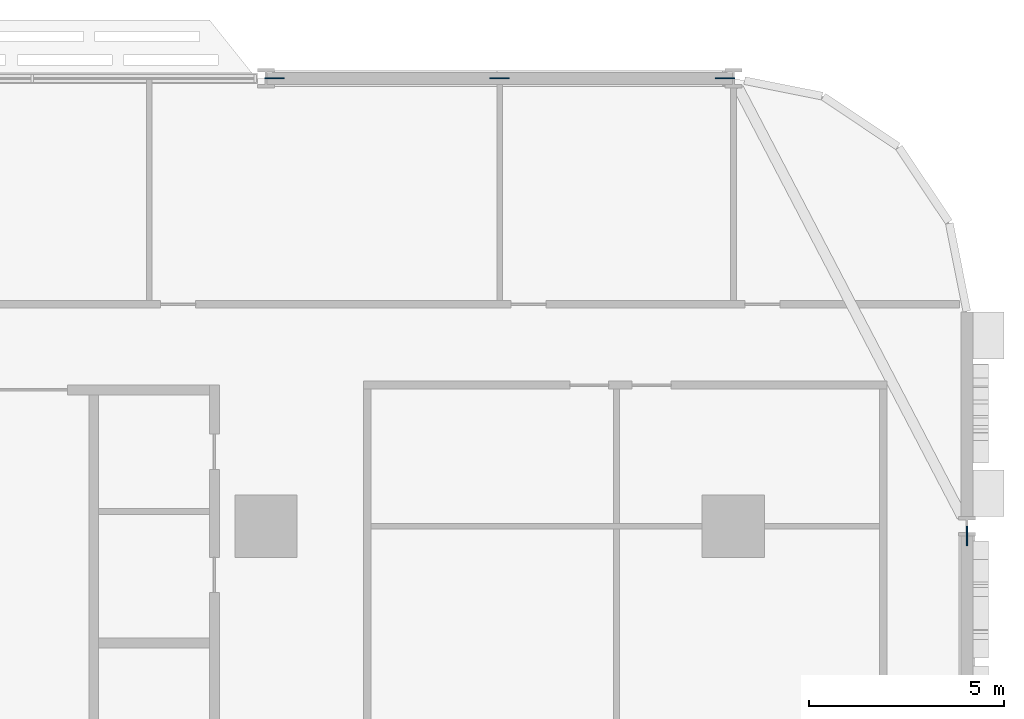
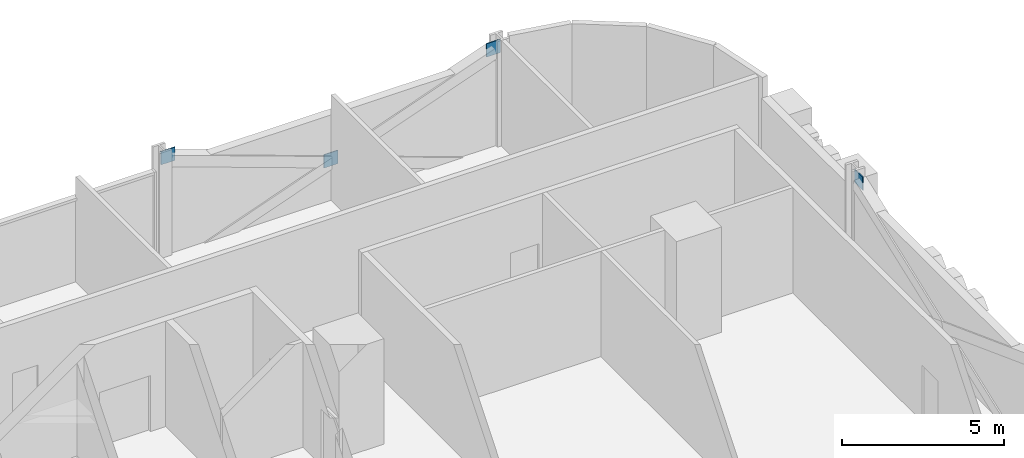
# One storey, part 21 of 28: 4 discrete accessories.
"""IFC4 building model written with IfcOpenShell, lengths in metres."""

from ifc_helpers import new_model, si_unit, direction, frame, origin, origin_2d, place, context, subcontext, project, spatial, rectangle, extrude, material, layer, layer_set, type_object, element, save


model = new_model("IFC4")

# Units and contexts
model_context = context("Model", 3, precision=1e-05, world=origin(), true_north=direction((0.0, 1.0)))
body_context = subcontext(model_context, "Body", "Model", "MODEL_VIEW")
ifc_project = project(units=[si_unit("LENGTHUNIT", "METRE"), si_unit("AREAUNIT", "SQUARE_METRE"), si_unit("VOLUMEUNIT", "CUBIC_METRE"), si_unit("PLANEANGLEUNIT", "RADIAN"), si_unit("MASSUNIT", "GRAM", prefix="KILO")], contexts=[model_context])

# Site, building, storey
site_placement = place(None, origin())
site = spatial("IfcSite", under=ifc_project, at=site_placement, CompositionType="ELEMENT")
building_placement = place(site_placement, origin())
building = spatial("IfcBuilding", under=site, at=building_placement, Name="Mahtab Terrace Research Tower", CompositionType="ELEMENT")
storey_placement = place(building_placement, frame((0.0, 0.0, 33.0)))
storey = spatial("IfcBuildingStorey", under=building, at=storey_placement, Name="L07", CompositionType="ELEMENT", Elevation=33.0)

# Discrete accessories
ifc_material = material(Name="Steel ASTM A992 Gr 50", Category="steel")
ifc_layer = layer(ifc_material, 0.030029296875)
ifc_layer_set = layer_set([ifc_layer], Name="Gusset plate 500x500x30")
discrete_accessory_type = type_object("IfcDiscreteAccessoryType", Name="Gusset plate 500x500x30", PredefinedType="USERDEFINED", material=ifc_layer_set)
for number, where, z_axis, x_axis, name in (
    (1, (30.2158203125, 23.0, 3.32958984375), (0.0, 0.0, 1.0), (1.0, 0.0, 0.0), "Gusset plate"),
    (2, (36.0, 23.0, 1.181396484375), (0.0, 0.0, 1.0), (1.0, 0.0, 0.0), "Gusset plate"),
    (3, (41.7841796875, 23.0, 3.32958984375), (0.0, 0.0, 1.0), (1.0, 0.0, 0.0), "Gusset plate"),
    (4, (48.0, 11.251220703125, 3.329345703125), (0.0, 0.0, 1.0), (0.0, 1.0, 0.0), "Gusset plate"),
):
    element("IfcDiscreteAccessory", number, at=place(storey_placement, frame(where, z_axis=z_axis, x_axis=x_axis)), inside=storey, type_object=discrete_accessory_type, Name=name, ObjectType="GUSSET PLATE", PredefinedType="USERDEFINED", context=body_context, shape_type="SweptSolid", body=[
        extrude(rectangle(XDim=0.5, YDim=0.030029296875, at=origin_2d()), origin(), (0.0, 0.0, 1.0), 0.5),
    ])

save(model, "model.ifc")
